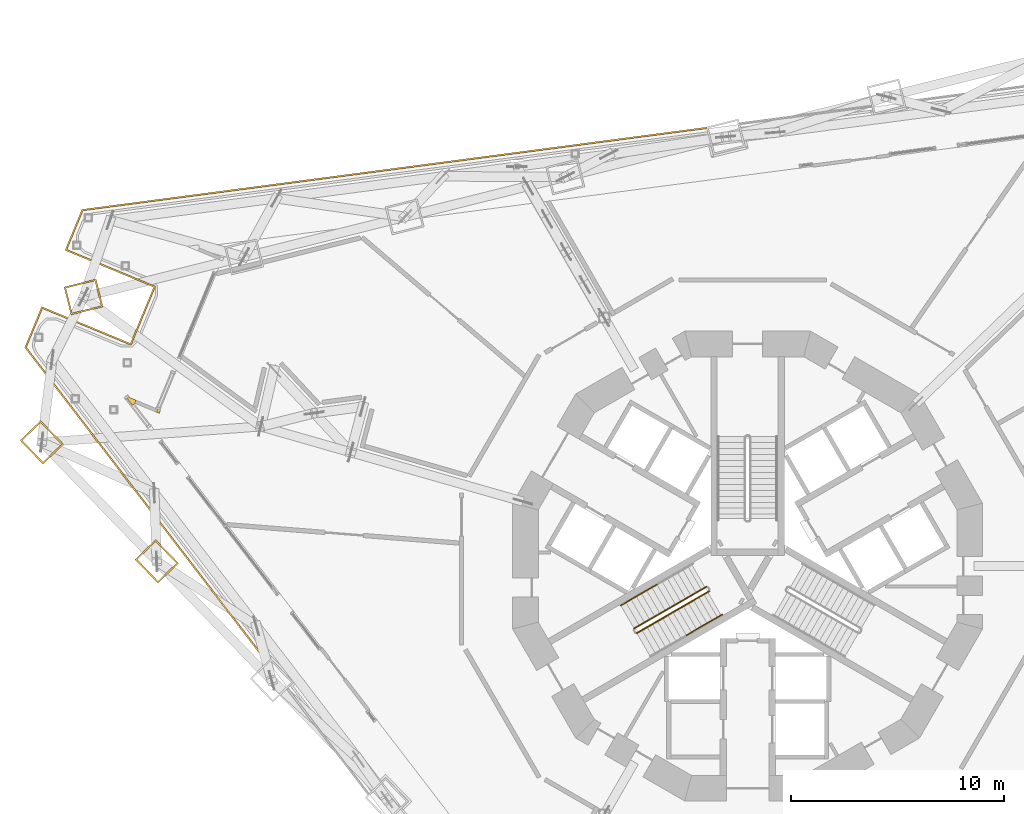
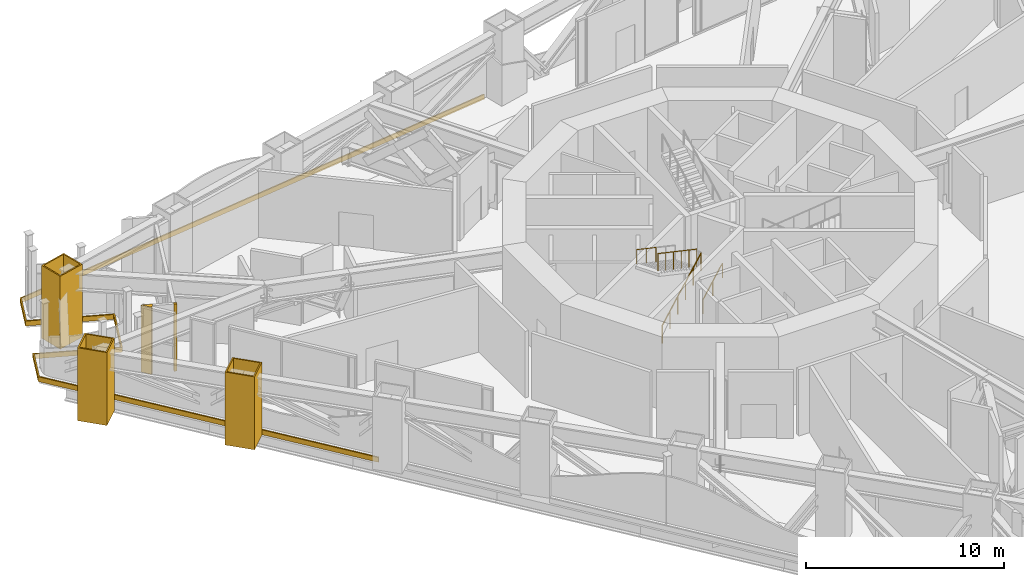
# One storey, part 28 of 31: 6 coverings, 4 railings.
"""IFC4 building model written with IfcOpenShell, lengths in metres."""

from ifc_helpers import new_model, si_unit, direction, frame, origin, origin_2d, place, context, subcontext, project, spatial, polyline, circle, outline, extrude, material, layer, layer_set, type_object, element, save


model = new_model("IFC4")

# Units and contexts
model_context = context("Model", 3, precision=1e-05, world=origin(), true_north=direction((0.0, 1.0)))
body_context = subcontext(model_context, "Body", "Model", "MODEL_VIEW")
ifc_project = project(units=[si_unit("LENGTHUNIT", "METRE"), si_unit("AREAUNIT", "SQUARE_METRE"), si_unit("VOLUMEUNIT", "CUBIC_METRE"), si_unit("PLANEANGLEUNIT", "RADIAN"), si_unit("MASSUNIT", "GRAM", prefix="KILO")], contexts=[model_context])

# Site, building, storey
site_placement = place(None, origin())
site = spatial("IfcSite", under=ifc_project, at=site_placement, CompositionType="ELEMENT")
building_placement = place(site_placement, origin())
building = spatial("IfcBuilding", under=site, at=building_placement, Name="Trine Commons Tower", CompositionType="ELEMENT")
storey_placement = place(building_placement, frame((0.0, 0.0, 82.800048828125)))
storey = spatial("IfcBuildingStorey", under=building, at=storey_placement, Name="L20", CompositionType="ELEMENT", Elevation=82.800048828125)

# Coverings
ifc_material_1 = material(Name="Aluminium-framed insulated wall panel", Category="aluminium")
ifc_layer_1 = layer(ifc_material_1, 0.14990234375)
ifc_layer_set_1 = layer_set([ifc_layer_1], Name="Aluminium-framed insulated wall panel")
covering_type_1 = type_object("IfcCoveringType", Name="Glazing corner post, aluminium", PredefinedType="CLADDING", material=ifc_layer_set_1)
covering_1_placement = place(storey_placement, origin())
element("IfcCovering", 1, at=covering_1_placement, inside=storey, type_object=covering_type_1, Name="Glazing corner post 2-01", PredefinedType="CLADDING", context=body_context, shape_type="SweptSolid", body=[
    extrude(outline(polyline([(51.165771484375, 70.038330078125), (51.28466796875, 70.129638671875), (51.342041015625, 70.268310546875), (50.824951171875, 70.482421875), (51.165771484375, 70.038330078125)])), origin(), (0.0, 0.0, 1.0), 4.14990234375),
])
covering_2_placement = place(storey_placement, origin())
element("IfcCovering", 2, at=covering_2_placement, inside=storey, type_object=covering_type_1, Name="Glazing corner post 2-02", PredefinedType="CLADDING", context=body_context, shape_type="SweptSolid", body=[
    extrude(outline(polyline([(52.28759765625, 69.714111328125), (52.42626953125, 69.65673828125), (52.483642578125, 69.79541015625), (52.34521484375, 69.852783203125), (52.28759765625, 69.714111328125)])), origin(), (0.0, 0.0, 1.0), 4.14990234375),
])
ifc_material_2 = material(Name="Limestone, honed", Category="masonry")
ifc_layer_2 = layer(ifc_material_2, 0.074951171875)
ifc_layer_set_2 = layer_set([ifc_layer_2], Name="Limestone, honed")
covering_type_2 = type_object("IfcCoveringType", Name="Limestone column cladding 75", PredefinedType="CLADDING", material=ifc_layer_set_2)
covering_3_placement = place(storey_placement, origin())
element("IfcCovering", 3, at=covering_3_placement, inside=storey, type_object=covering_type_2, Name="Limestone pier cladding 3-07", PredefinedType="CLADDING", context=body_context, shape_type="SweptSolid", body=[
    extrude(outline(polyline([(52.25439453125, 63.74462890625), (51.283203125, 62.806884765625), (52.35986328125, 61.69189453125), (53.3310546875, 62.629638671875), (52.25439453125, 63.74462890625)]), holes=[polyline([(52.25244140625, 63.638671875), (51.38916015625, 62.804931640625), (52.36181640625, 61.798095703125), (53.22509765625, 62.631591796875), (52.25244140625, 63.638671875)])]), origin(), (0.0, 0.0, 1.0), 4.5),
])
covering_4_placement = place(storey_placement, origin())
element("IfcCovering", 4, at=covering_4_placement, inside=storey, type_object=covering_type_2, Name="Limestone pier cladding 3-08", PredefinedType="CLADDING", context=body_context, shape_type="SweptSolid", body=[
    extrude(outline(polyline([(46.865478515625, 69.3251953125), (45.894287109375, 68.38720703125), (46.970947265625, 67.272216796875), (47.942138671875, 68.210205078125), (46.865478515625, 69.3251953125)]), holes=[polyline([(46.863525390625, 69.218994140625), (46.000244140625, 68.385498046875), (46.972900390625, 67.37841796875), (47.836181640625, 68.2119140625), (46.863525390625, 69.218994140625)])]), origin(), (0.0, 0.0, 1.0), 4.5),
])
covering_5_placement = place(storey_placement, origin())
element("IfcCovering", 5, at=covering_5_placement, inside=storey, type_object=covering_type_2, Name="Limestone pier cladding 3-09", PredefinedType="CLADDING", context=body_context, shape_type="SweptSolid", body=[
    extrude(outline(polyline([(49.78759765625, 74.6455078125), (49.4609375, 75.95556640625), (47.956787109375, 75.58056640625), (48.283447265625, 74.270751953125), (49.78759765625, 74.6455078125)]), holes=[polyline([(49.696533203125, 74.7001953125), (49.40625, 75.864501953125), (48.0478515625, 75.52587890625), (48.338134765625, 74.361572265625), (49.696533203125, 74.7001953125)])]), origin(), (0.0, 0.0, 1.0), 4.5),
])
ifc_layer_3 = layer(ifc_material_2, 0.074951171875)
ifc_layer_set_3 = layer_set([ifc_layer_3], Name="Limestone, honed")
covering_type_3 = type_object("IfcCoveringType", Name="Limestone spandrel panel 75", PredefinedType="CLADDING", material=ifc_layer_set_3)
covering_6_placement = place(storey_placement, frame((0.0, 0.0, -0.300048828125)))
element("IfcCovering", 6, at=covering_6_placement, inside=storey, type_object=covering_type_3, Name="Limestone spandrel panel 2-06", PredefinedType="CLADDING", context=body_context, shape_type="SweptSolid", body=[
    extrude(outline(polyline([(46.11083984375, 72.740966796875), (57.443603515625, 57.9716796875), (57.498046875, 58.024169921875), (46.19677734375, 72.752197265625), (46.948486328125, 74.56689453125), (51.105712890625, 72.8447265625), (52.25390625, 75.616455078125), (48.096435546875, 77.33837890625), (48.847900390625, 79.153076171875), (78.0869140625, 83.00244140625), (78.06884765625, 83.07568359375), (48.79541015625, 79.2216796875), (47.998291015625, 77.2978515625), (52.156005859375, 75.57568359375), (51.065185546875, 72.94287109375), (46.90771484375, 74.664794921875), (46.11083984375, 72.740966796875)])), origin(), (0.0, 0.0, 1.0), 0.300048828125),
])

# Railings
ifc_material_3 = material(Name="Stainless steel balustrade", Category="steel")
railing_type_1 = type_object("IfcRailingType", Name="Stair guard, steel balustrade 1100", PredefinedType="GUARDRAIL", material=ifc_material_3)
railing_1_placement = place(storey_placement, frame((74.80517578125, 59.3564453125, 0.14990234375)))
element("IfcRailing", 7, at=railing_1_placement, inside=storey, type_object=railing_type_1, Name="L20 ST2A stair guard 1", PredefinedType="GUARDRAIL", context=body_context, shape_type="SweptSolid", body=[
    extrude(circle(Radius=0.02392578125, at=origin_2d()), frame((0.0, 0.0, 1.076171875), z_axis=(0.763374939589, 0.440731680332, 0.472243885677), x_axis=(-0.499997407846, 0.86602690036, 0.0)), (0.0, 0.0, 1.0), 4.447021484375),
    extrude(circle(Radius=0.02099609375, at=origin_2d()), origin(), (0.0, 0.0, 1.0), 1.052001953125),
    extrude(circle(Radius=0.02099609375, at=origin_2d()), frame((0.678955078125, 0.39208984375, 0.419921875)), (0.0, 0.0, 1.0), 1.052001953125),
    extrude(circle(Radius=0.02099609375, at=origin_2d()), frame((1.35791015625, 0.783935546875, 0.840087890625)), (0.0, 0.0, 1.0), 1.052001953125),
    extrude(circle(Radius=0.02099609375, at=origin_2d()), frame((2.036865234375, 1.176025390625, 1.260009765625)), (0.0, 0.0, 1.0), 1.052001953125),
    extrude(circle(Radius=0.02099609375, at=origin_2d()), frame((2.7158203125, 1.56787109375, 1.68017578125)), (0.0, 0.0, 1.0), 1.052001953125),
    extrude(circle(Radius=0.02099609375, at=origin_2d()), frame((3.394775390625, 1.9599609375, 2.10009765625)), (0.0, 0.0, 1.0), 1.052001953125),
])
railing_2_placement = place(storey_placement, frame((78.074951171875, 61.532958984375, 2.39990234375)))
element("IfcRailing", 8, at=railing_2_placement, inside=storey, type_object=railing_type_1, Name="L20 ST2A stair guard 3", PredefinedType="GUARDRAIL", context=body_context, shape_type="SweptSolid", body=[
    extrude(circle(Radius=0.02392578125, at=origin_2d()), frame((0.0, 0.0, 1.076171875), z_axis=(-0.763374939589, -0.440731680332, 0.472243885677), x_axis=(0.499997407846, -0.86602690036, 0.0)), (0.0, 0.0, 1.0), 4.447021484375),
    extrude(circle(Radius=0.02099609375, at=origin_2d()), origin(), (0.0, 0.0, 1.0), 1.052001953125),
    extrude(circle(Radius=0.02099609375, at=origin_2d()), frame((-0.678955078125, -0.39208984375, 0.419921875)), (0.0, 0.0, 1.0), 1.052001953125),
    extrude(circle(Radius=0.02099609375, at=origin_2d()), frame((-1.35791015625, -0.783935546875, 0.840087890625)), (0.0, 0.0, 1.0), 1.052001953125),
    extrude(circle(Radius=0.02099609375, at=origin_2d()), frame((-2.036865234375, -1.176025390625, 1.260009765625)), (0.0, 0.0, 1.0), 1.052001953125),
    extrude(circle(Radius=0.02099609375, at=origin_2d()), frame((-2.7158203125, -1.56787109375, 1.68017578125)), (0.0, 0.0, 1.0), 1.052001953125),
    extrude(circle(Radius=0.02099609375, at=origin_2d()), frame((-3.394775390625, -1.9599609375, 2.10009765625)), (0.0, 0.0, 1.0), 1.052001953125),
])
ifc_material_4 = material(Name="Stainless steel handrail", Category="steel")
railing_type_2 = type_object("IfcRailingType", Name="Stair handrail, steel 900", PredefinedType="HANDRAIL", material=ifc_material_4)
railing_3_placement = place(storey_placement, frame((77.127685546875, 59.25390625, 1.199951171875)))
element("IfcRailing", 9, at=railing_3_placement, inside=storey, type_object=railing_type_2, Name="L20 ST2A stair handrail 2", PredefinedType="HANDRAIL", context=body_context, shape_type="SweptSolid", body=[
    extrude(circle(Radius=0.02099609375, at=origin_2d()), frame((0.0, 0.0, 0.87890625), z_axis=(0.763352030933, 0.440750151347, 0.472263677365), x_axis=(-0.500024377727, 0.866011328839, 0.0)), (0.0, 0.0, 1.0), 2.223388671875),
    extrude(circle(Radius=0.01513671875, at=origin_2d()), origin(), (0.0, 0.0, 1.0), 0.85791015625),
    extrude(circle(Radius=0.01513671875, at=origin_2d()), frame((0.8486328125, 0.489990234375, 0.52490234375)), (0.0, 0.0, 1.0), 0.85791015625),
    extrude(circle(Radius=0.01513671875, at=origin_2d()), frame((1.697265625, 0.97998046875, 1.050048828125)), (0.0, 0.0, 1.0), 0.85791015625),
])
railing_4_placement = place(storey_placement, frame((75.752685546875, 61.635498046875, 3.449951171875)))
element("IfcRailing", 10, at=railing_4_placement, inside=storey, type_object=railing_type_2, Name="L20 ST2A stair handrail 4", PredefinedType="HANDRAIL", context=body_context, shape_type="SweptSolid", body=[
    extrude(circle(Radius=0.02099609375, at=origin_2d()), frame((0.0, 0.0, 0.87890625), z_axis=(-0.763397845365, -0.440713210311, 0.472224095054), x_axis=(0.499970440388, -0.866042469362, 0.0)), (0.0, 0.0, 1.0), 2.2236328125),
    extrude(circle(Radius=0.01513671875, at=origin_2d()), origin(), (0.0, 0.0, 1.0), 0.85791015625),
    extrude(circle(Radius=0.01513671875, at=origin_2d()), frame((-0.8486328125, -0.489990234375, 0.52490234375)), (0.0, 0.0, 1.0), 0.85791015625),
    extrude(circle(Radius=0.01513671875, at=origin_2d()), frame((-1.697509765625, -0.97998046875, 1.050048828125)), (0.0, 0.0, 1.0), 0.85791015625),
])

save(model, "model.ifc")
